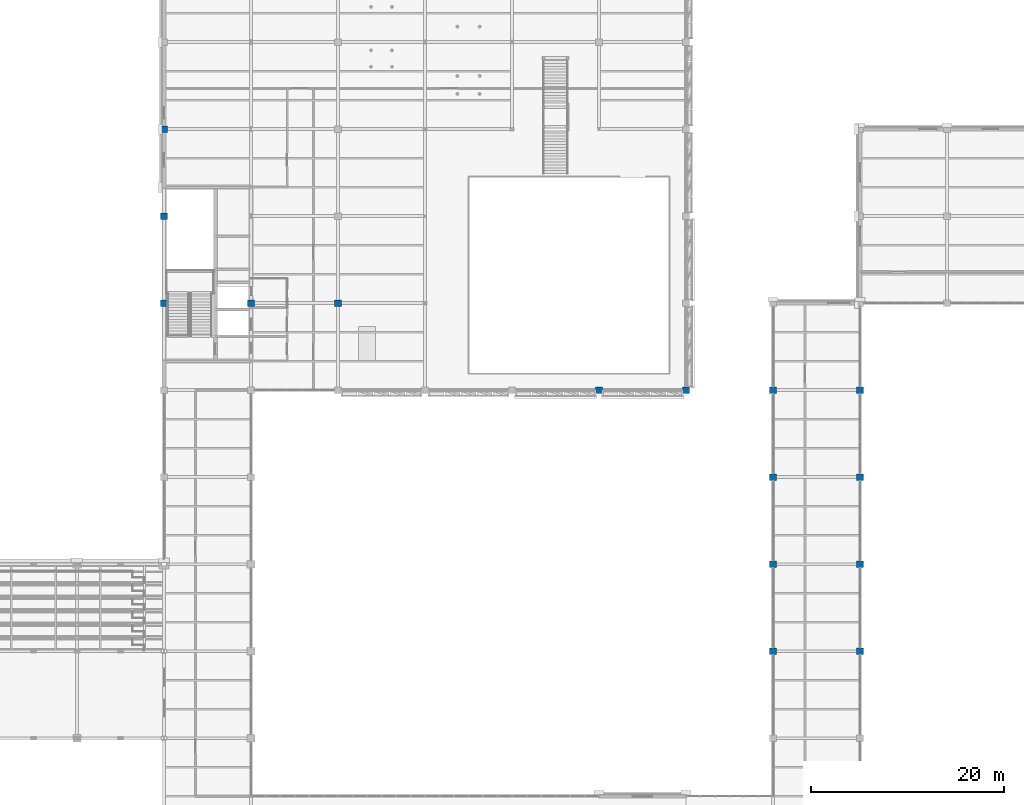
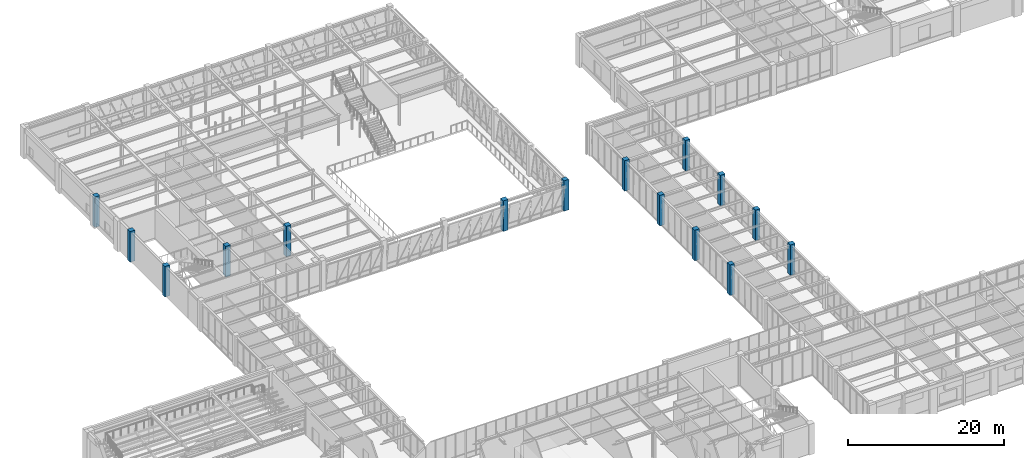
# One storey, part 6 of 92: 15 columns.
"""IFC4 building model written with IfcOpenShell, lengths in metres."""

from ifc_helpers import new_model, si_unit, direction, frame, origin, origin_2d, place, context, subcontext, project, spatial, rectangle, extrude, material, material_profile, profile_set, type_object, element, save


model = new_model("IFC4")

# Units and contexts
model_context = context("Model", 3, precision=1e-05, world=origin(), true_north=direction((0.0, 1.0)))
body_context = subcontext(model_context, "Body", "Model", "MODEL_VIEW")
ifc_project = project(units=[si_unit("LENGTHUNIT", "METRE"), si_unit("AREAUNIT", "SQUARE_METRE"), si_unit("VOLUMEUNIT", "CUBIC_METRE"), si_unit("PLANEANGLEUNIT", "RADIAN"), si_unit("MASSUNIT", "GRAM", prefix="KILO")], contexts=[model_context])

# Site, building, storey
site_placement = place(None, origin())
site = spatial("IfcSite", under=ifc_project, at=site_placement, CompositionType="ELEMENT")
building_placement = place(site_placement, origin())
building = spatial("IfcBuilding", under=site, at=building_placement, Name="Lykobir Media Centre", CompositionType="ELEMENT")
storey_placement = place(building_placement, frame((0.0, 0.0, 5.39990234375)))
storey = spatial("IfcBuildingStorey", under=building, at=storey_placement, Name="L01", CompositionType="ELEMENT", Elevation=5.39990234375)

# Columns
ifc_material = material(Name="Concrete C40/50", Category="concrete")
ifc_material_profile_1 = material_profile(ifc_material, rectangle(XDim=0.699951171875, YDim=0.699951171875, at=origin_2d()), Name="RC 700x700")
ifc_profile_set_1 = profile_set([ifc_material_profile_1], Name="Concrete C40/50")
column_type_1 = type_object("IfcColumnType", Name="RC-C700", PredefinedType="COLUMN", material=ifc_profile_set_1)
for number, where, z_axis, x_axis, name in (
    (1, (27.0, 72.0, 0.0), (0.0, 0.0, 1.0), (1.0, 0.0, 0.0), "Column COL-L01-0270-0720"),
    (2, (27.0, 81.0, 0.0), (0.0, 0.0, 1.0), (1.0, 0.0, 0.0), "Column COL-L01-0270-0810"),
    (3, (27.0, 90.0, 0.0), (0.0, 0.0, 1.0), (1.0, 0.0, 0.0), "Column COL-L01-0270-0900"),
    (4, (36.0, 72.0, 0.0), (0.0, 0.0, 1.0), (1.0, 0.0, 0.0), "Column COL-L01-0360-0720"),
    (5, (45.0, 72.0, 0.0), (0.0, 0.0, 1.0), (1.0, 0.0, 0.0), "Column COL-L01-0450-0720"),
    (6, (72.0, 63.0, 0.0), (0.0, 0.0, 1.0), (1.0, 0.0, 0.0), "Column COL-L01-0720-0630"),
    (7, (99.0, 36.0, 0.0), (0.0, 0.0, 1.0), (1.0, 0.0, 0.0), "Column COL-L01-0990-0360"),
    (8, (99.0, 45.0, 0.0), (0.0, 0.0, 1.0), (1.0, 0.0, 0.0), "Column COL-L01-0990-0450"),
    (9, (99.0, 54.0, 0.0), (0.0, 0.0, 1.0), (1.0, 0.0, 0.0), "Column COL-L01-0990-0540"),
    (10, (99.0, 63.0, 0.0), (0.0, 0.0, 1.0), (1.0, 0.0, 0.0), "Column COL-L01-0990-0630"),
):
    element("IfcColumn", number, at=place(storey_placement, frame(where, z_axis=z_axis, x_axis=x_axis)), inside=storey, type_object=column_type_1, Name=name, PredefinedType="COLUMN", context=body_context, shape_type="SweptSolid", body=[
        extrude(rectangle(XDim=0.699951171875, YDim=0.699951171875, at=origin_2d()), origin(), (0.0, 0.0, 1.0), 4.800048828125),
    ])
ifc_material_profile_2 = material_profile(ifc_material, rectangle(XDim=0.699951171875, YDim=0.699951171875, at=origin_2d()), Name="RC 700x700")
ifc_profile_set_2 = profile_set([ifc_material_profile_2], Name="Concrete C40/50")
column_type_2 = type_object("IfcColumnType", Name="RC-C700-E", PredefinedType="COLUMN", material=ifc_profile_set_2)
for number, where, z_axis, x_axis, name in (
    (11, (81.0, 63.0, 0.0), (0.0, 0.0, 1.0), (1.0, 0.0, 0.0), "Column COL-L01-0810-0630"),
    (12, (90.0, 36.0, 0.0), (0.0, 0.0, 1.0), (1.0, 0.0, 0.0), "Column COL-L01-0900-0360"),
    (13, (90.0, 45.0, 0.0), (0.0, 0.0, 1.0), (1.0, 0.0, 0.0), "Column COL-L01-0900-0450"),
    (14, (90.0, 54.0, 0.0), (0.0, 0.0, 1.0), (1.0, 0.0, 0.0), "Column COL-L01-0900-0540"),
    (15, (90.0, 63.0, 0.0), (0.0, 0.0, 1.0), (1.0, 0.0, 0.0), "Column COL-L01-0900-0630"),
):
    element("IfcColumn", number, at=place(storey_placement, frame(where, z_axis=z_axis, x_axis=x_axis)), inside=storey, type_object=column_type_2, Name=name, PredefinedType="COLUMN", context=body_context, shape_type="SweptSolid", body=[
        extrude(rectangle(XDim=0.699951171875, YDim=0.699951171875, at=origin_2d()), origin(), (0.0, 0.0, 1.0), 4.800048828125),
    ])

save(model, "model.ifc")
